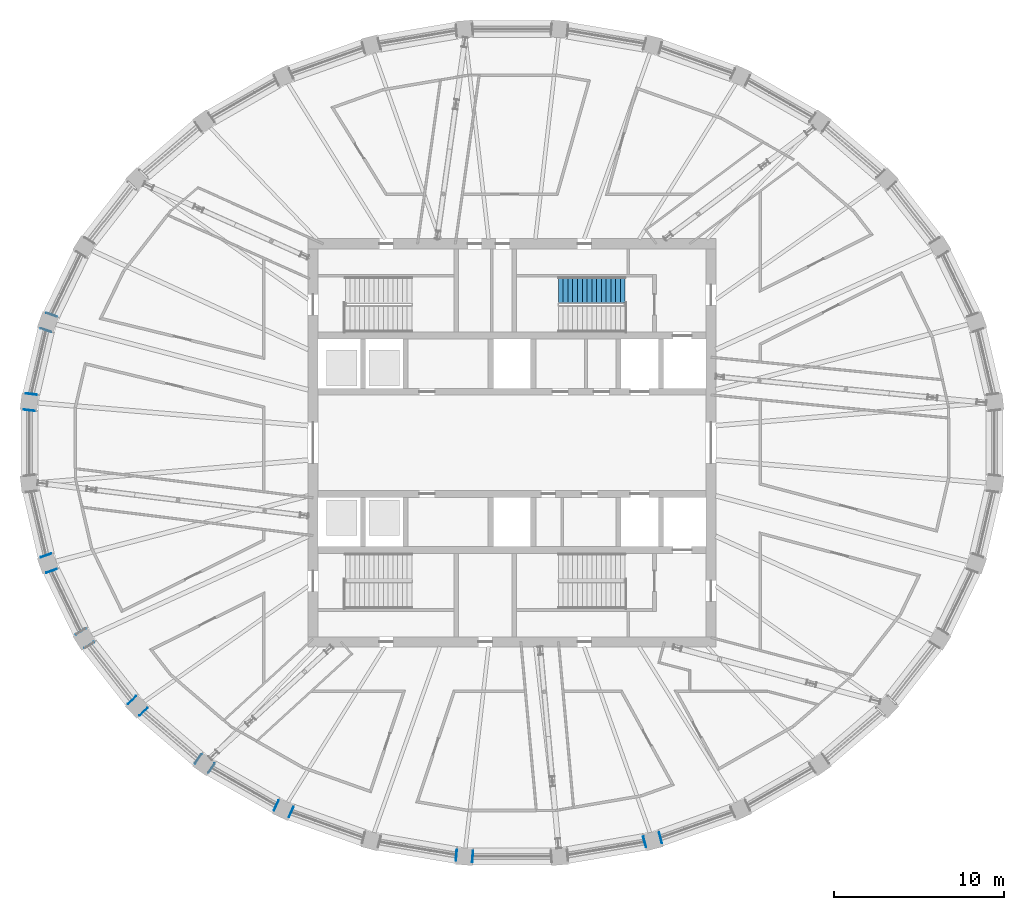
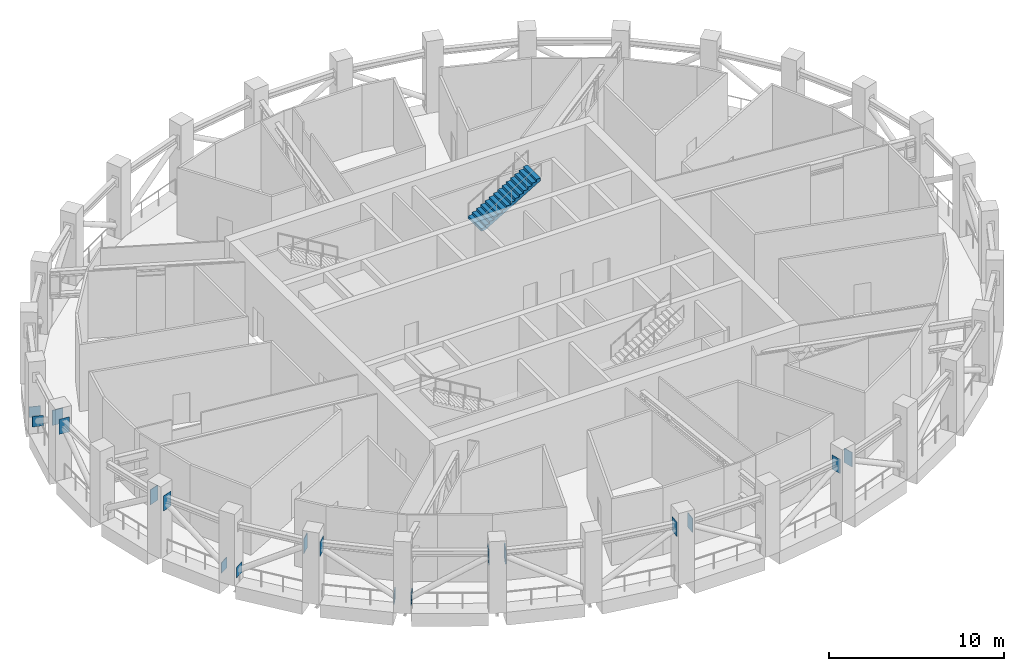
# One storey, part 12 of 20: 18 discrete accessories, 1 stair flight, 1 element without a shape of its own.
"""IFC4 building model written with IfcOpenShell, lengths in metres."""

from ifc_helpers import new_model, si_unit, direction, frame, origin, origin_2d, place, context, subcontext, project, spatial, polyline, rectangle, outline, extrude, material, layer, layer_set, type_object, element, aggregate, save


model = new_model("IFC4")

# Units and contexts
model_context = context("Model", 3, precision=1e-05, world=origin(), true_north=direction((0.0, 1.0)))
body_context = subcontext(model_context, "Body", "Model", "MODEL_VIEW")
ifc_project = project(units=[si_unit("LENGTHUNIT", "METRE"), si_unit("AREAUNIT", "SQUARE_METRE"), si_unit("VOLUMEUNIT", "CUBIC_METRE"), si_unit("PLANEANGLEUNIT", "RADIAN"), si_unit("MASSUNIT", "GRAM", prefix="KILO")], contexts=[model_context])

# Site, building, storey
site_placement = place(None, origin())
site = spatial("IfcSite", under=ifc_project, at=site_placement, CompositionType="ELEMENT")
building_placement = place(site_placement, origin())
building = spatial("IfcBuilding", under=site, at=building_placement, Name="Halqa Exchange Tower", CompositionType="ELEMENT")
storey_placement = place(building_placement, frame((0.0, 0.0, 328.300048828125)))
storey = spatial("IfcBuildingStorey", under=building, at=storey_placement, Name="L77", CompositionType="ELEMENT", Elevation=328.300048828125)

# Stair, stair flight
ifc_material_1 = material(Name="Concrete C30/37", Category="concrete")
stair_type = type_object("IfcStairType", Name="Exit stair 1500 wide", PredefinedType="HALF_TURN_STAIR", material=ifc_material_1)
stair_placement = place(storey_placement, origin())
stair = element("IfcStair", 1, at=stair_placement, inside=storey, type_object=stair_type, Name="Exit stair ST2", PredefinedType="HALF_TURN_STAIR")
stair_flight_type = type_object("IfcStairFlightType", Name="Stair flight 1500 wide", PredefinedType="STRAIGHT", material=ifc_material_1)
stair_flight_placement = place(storey_placement, frame((2.72998046875, 9.0, 2.5), z_axis=(0.0, 0.0, 1.0), x_axis=(1.0, 0.0, 0.0)))
stair_flight = element("IfcStairFlight", 2, at=stair_flight_placement, type_object=stair_flight_type, Name="ST2 flight 2", NumberOfRisers=15, NumberOfTreads=14, PredefinedType="STRAIGHT", RiserHeight=0.166666667, TreadLength=0.28, context=body_context, shape_type="SweptSolid", body=[
    extrude(outline(polyline([(0.0, 0.0), (0.0, 0.166748046875), (0.280029296875, 0.166748046875), (0.280029296875, 0.333251953125), (0.56005859375, 0.333251953125), (0.56005859375, 0.5), (0.840087890625, 0.5), (0.840087890625, 0.666748046875), (1.1201171875, 0.666748046875), (1.1201171875, 0.833251953125), (1.39990234375, 0.833251953125), (1.39990234375, 1.0), (1.679931640625, 1.0), (1.679931640625, 1.166748046875), (1.9599609375, 1.166748046875), (1.9599609375, 1.333251953125), (2.239990234375, 1.333251953125), (2.239990234375, 1.5), (2.52001953125, 1.5), (2.52001953125, 1.666748046875), (2.800048828125, 1.666748046875), (2.800048828125, 1.833251953125), (3.080078125, 1.833251953125), (3.080078125, 2.0), (3.360107421875, 2.0), (3.360107421875, 2.166748046875), (3.639892578125, 2.166748046875), (3.639892578125, 2.333251953125), (3.919921875, 2.333251953125), (3.919921875, 2.5), (3.919921875, 2.158935546875), (0.29296875, 0.0), (0.0, 0.0)])), frame((0.0, 0.75, 0.0), z_axis=(0.0, -1.0, 0.0), x_axis=(1.0, 0.0, 0.0)), (0.0, 0.0, 1.0), 1.5),
])
aggregate(stair, [stair_flight])

# Discrete accessories
ifc_material_2 = material(Name="Steel S355", Category="steel")
ifc_layer = layer(ifc_material_2, 0.0400390625)
ifc_layer_set = layer_set([ifc_layer], Name="Steel S355")
discrete_accessory_type = type_object("IfcDiscreteAccessoryType", Name="Belt truss anchor plate 40", PredefinedType="ANCHORPLATE", material=ifc_layer_set)
discrete_accessory_1_placement = place(storey_placement, frame((-27.376220703125, 6.639892578125, 0.834716796875), z_axis=(-0.328993186606, -0.944332294887, 0.0), x_axis=(0.944332294887, -0.328993186606, 0.0)))
element("IfcDiscreteAccessory", 3, at=discrete_accessory_1_placement, inside=storey, type_object=discrete_accessory_type, Name="Belt truss anchor plate", PredefinedType="ANCHORPLATE", context=body_context, shape_type="SweptSolid", body=[
    extrude(rectangle(XDim=0.656005859375, YDim=0.735107421875, at=origin_2d()), origin(), (0.0, 0.0, 1.0), 0.0400390625),
])
discrete_accessory_2_placement = place(storey_placement, frame((-27.0703125, 7.507568359375, 0.828125), z_axis=(0.336336396998, 0.941741911595, 0.0), x_axis=(-0.941741911595, 0.336336396998, 0.0)))
element("IfcDiscreteAccessory", 4, at=discrete_accessory_2_placement, inside=storey, type_object=discrete_accessory_type, Name="Belt truss anchor plate", PredefinedType="ANCHORPLATE", context=body_context, shape_type="SweptSolid", body=[
    extrude(rectangle(XDim=0.656005859375, YDim=0.73193359375, at=origin_2d()), origin(), (0.0, 0.0, 1.0), 0.0400390625),
])
discrete_accessory_3_placement = place(storey_placement, frame((-28.361328125, 1.93115234375, 3.72216796875), z_axis=(-0.116485527129, -0.993192389202, 0.0), x_axis=(0.993192389202, -0.116485527129, 0.0)))
element("IfcDiscreteAccessory", 5, at=discrete_accessory_3_placement, inside=storey, type_object=discrete_accessory_type, Name="Belt truss anchor plate", PredefinedType="ANCHORPLATE", context=body_context, shape_type="SweptSolid", body=[
    extrude(rectangle(XDim=0.656005859375, YDim=1.054931640625, at=origin_2d()), origin(), (0.0, 0.0, 1.0), 0.039794921875),
])
discrete_accessory_4_placement = place(storey_placement, frame((-28.2568359375, 2.84521484375, 3.7236328125), z_axis=(0.115780500934, 0.993274823804, 0.0), x_axis=(-0.993274823804, 0.115780500934, 0.0)))
element("IfcDiscreteAccessory", 6, at=discrete_accessory_4_placement, inside=storey, type_object=discrete_accessory_type, Name="Belt truss anchor plate", PredefinedType="ANCHORPLATE", context=body_context, shape_type="SweptSolid", body=[
    extrude(rectangle(XDim=0.656005859375, YDim=1.052978515625, at=origin_2d()), origin(), (0.0, 0.0, 1.0), 0.0400390625),
])
discrete_accessory_5_placement = place(storey_placement, frame((-27.0703125, -7.507568359375, 3.727783203125), z_axis=(0.336336396998, -0.941741911595, 0.0), x_axis=(0.941741911595, 0.336336396998, 0.0)))
element("IfcDiscreteAccessory", 7, at=discrete_accessory_5_placement, inside=storey, type_object=discrete_accessory_type, Name="Belt truss anchor plate", PredefinedType="ANCHORPLATE", context=body_context, shape_type="SweptSolid", body=[
    extrude(rectangle(XDim=0.656005859375, YDim=1.0439453125, at=origin_2d()), origin(), (0.0, 0.0, 1.0), 0.0400390625),
])
discrete_accessory_6_placement = place(storey_placement, frame((-27.376220703125, -6.639892578125, 3.723876953125), z_axis=(-0.328993186606, 0.944332294887, 0.0), x_axis=(-0.944332294887, -0.328993186606, 0.0)))
element("IfcDiscreteAccessory", 8, at=discrete_accessory_6_placement, inside=storey, type_object=discrete_accessory_type, Name="Belt truss anchor plate", PredefinedType="ANCHORPLATE", context=body_context, shape_type="SweptSolid", body=[
    extrude(rectangle(XDim=0.656005859375, YDim=1.052001953125, at=origin_2d()), origin(), (0.0, 0.0, 1.0), 0.0400390625),
])
discrete_accessory_7_placement = place(storey_placement, frame((-24.849365234375, -11.879638671875, 0.81982421875), z_axis=(0.530546985787, -0.847655529016, 0.0), x_axis=(0.847655529016, 0.530546985787, 0.0)))
element("IfcDiscreteAccessory", 9, at=discrete_accessory_7_placement, inside=storey, type_object=discrete_accessory_type, Name="Belt truss anchor plate", PredefinedType="ANCHORPLATE", context=body_context, shape_type="SweptSolid", body=[
    extrude(rectangle(XDim=0.656005859375, YDim=0.72900390625, at=origin_2d()), origin(), (0.0, 0.0, 1.0), 0.0400390625),
])
discrete_accessory_8_placement = place(storey_placement, frame((-25.3349609375, -11.098388671875, 0.8291015625), z_axis=(-0.527815847616, 0.849358835243, 0.0), x_axis=(-0.849358835243, -0.527815847616, 0.0)))
element("IfcDiscreteAccessory", 10, at=discrete_accessory_8_placement, inside=storey, type_object=discrete_accessory_type, Name="Belt truss anchor plate", PredefinedType="ANCHORPLATE", context=body_context, shape_type="SweptSolid", body=[
    extrude(rectangle(XDim=0.656005859375, YDim=0.73193359375, at=origin_2d()), origin(), (0.0, 0.0, 1.0), 0.040283203125),
])
discrete_accessory_9_placement = place(storey_placement, frame((-21.678955078125, -15.79736328125, 3.739013671875), z_axis=(0.691639439628, -0.722242954656, 0.0), x_axis=(0.722242954656, 0.691639439628, 0.0)))
element("IfcDiscreteAccessory", 11, at=discrete_accessory_9_placement, inside=storey, type_object=discrete_accessory_type, Name="Belt truss anchor plate", PredefinedType="ANCHORPLATE", context=body_context, shape_type="SweptSolid", body=[
    extrude(rectangle(XDim=0.656005859375, YDim=1.02197265625, at=origin_2d()), origin(), (0.0, 0.0, 1.0), 0.039794921875),
])
discrete_accessory_10_placement = place(storey_placement, frame((-22.314208984375, -15.1318359375, 3.733154296875), z_axis=(-0.68858929503, 0.725151558483, 0.0), x_axis=(-0.725151558483, -0.68858929503, 0.0)))
element("IfcDiscreteAccessory", 12, at=discrete_accessory_10_placement, inside=storey, type_object=discrete_accessory_type, Name="Belt truss anchor plate", PredefinedType="ANCHORPLATE", context=body_context, shape_type="SweptSolid", body=[
    extrude(rectangle(XDim=0.656005859375, YDim=1.033935546875, at=origin_2d()), origin(), (0.0, 0.0, 1.0), 0.0400390625),
])
discrete_accessory_11_placement = place(storey_placement, frame((-17.6787109375, -19.1123046875, 0.80126953125), z_axis=(0.81865747399, -0.57428210862, 0.0), x_axis=(0.57428210862, 0.81865747399, 0.0)))
element("IfcDiscreteAccessory", 13, at=discrete_accessory_11_placement, inside=storey, type_object=discrete_accessory_type, Name="Belt truss anchor plate", PredefinedType="ANCHORPLATE", context=body_context, shape_type="SweptSolid", body=[
    extrude(rectangle(XDim=0.656005859375, YDim=0.720947265625, at=origin_2d()), origin(), (0.0, 0.0, 1.0), 0.0400390625),
])
discrete_accessory_12_placement = place(storey_placement, frame((-18.430419921875, -18.581787109375, 0.810302734375), z_axis=(-0.81865747399, 0.57428210862, 0.0), x_axis=(-0.57428210862, -0.81865747399, 0.0)))
element("IfcDiscreteAccessory", 14, at=discrete_accessory_12_placement, inside=storey, type_object=discrete_accessory_type, Name="Belt truss anchor plate", PredefinedType="ANCHORPLATE", context=body_context, shape_type="SweptSolid", body=[
    extrude(rectangle(XDim=0.656005859375, YDim=0.72509765625, at=origin_2d()), origin(), (0.0, 0.0, 1.0), 0.0400390625),
])
discrete_accessory_13_placement = place(storey_placement, frame((-12.999267578125, -21.69775390625, 3.74853515625), z_axis=(0.9097381412, -0.415182507393, 0.0), x_axis=(0.415182507393, 0.9097381412, 0.0)))
element("IfcDiscreteAccessory", 15, at=discrete_accessory_13_placement, inside=storey, type_object=discrete_accessory_type, Name="Belt truss anchor plate", PredefinedType="ANCHORPLATE", context=body_context, shape_type="SweptSolid", body=[
    extrude(rectangle(XDim=0.656005859375, YDim=1.0029296875, at=origin_2d()), origin(), (0.0, 0.0, 1.0), 0.0400390625),
])
discrete_accessory_14_placement = place(storey_placement, frame((-13.835205078125, -21.313720703125, 3.744140625), z_axis=(-0.90742390538, 0.420216439404, 0.0), x_axis=(-0.420216439404, -0.90742390538, 0.0)))
element("IfcDiscreteAccessory", 16, at=discrete_accessory_14_placement, inside=storey, type_object=discrete_accessory_type, Name="Belt truss anchor plate", PredefinedType="ANCHORPLATE", context=body_context, shape_type="SweptSolid", body=[
    extrude(rectangle(XDim=0.656005859375, YDim=1.011962890625, at=origin_2d()), origin(), (0.0, 0.0, 1.0), 0.0400390625),
])
discrete_accessory_15_placement = place(storey_placement, frame((-2.331787109375, -24.309814453125, 3.75146484375), z_axis=(0.996331773833, -0.085574508182, 0.0), x_axis=(0.085574508182, 0.996331773833, 0.0)))
element("IfcDiscreteAccessory", 17, at=discrete_accessory_15_placement, inside=storey, type_object=discrete_accessory_type, Name="Belt truss anchor plate", PredefinedType="ANCHORPLATE", context=body_context, shape_type="SweptSolid", body=[
    extrude(rectangle(XDim=0.656005859375, YDim=0.9970703125, at=origin_2d()), origin(), (0.0, 0.0, 1.0), 0.0400390625),
])
discrete_accessory_16_placement = place(storey_placement, frame((-3.24853515625, -24.232421875, 3.750732421875), z_axis=(-0.996331773833, 0.085574508182, 0.0), x_axis=(-0.085574508182, -0.996331773833, 0.0)))
element("IfcDiscreteAccessory", 18, at=discrete_accessory_16_placement, inside=storey, type_object=discrete_accessory_type, Name="Belt truss anchor plate", PredefinedType="ANCHORPLATE", context=body_context, shape_type="SweptSolid", body=[
    extrude(rectangle(XDim=0.656005859375, YDim=0.9990234375, at=origin_2d()), origin(), (0.0, 0.0, 1.0), 0.0400390625),
])
discrete_accessory_17_placement = place(storey_placement, frame((8.7080078125, -23.22119140625, 3.74853515625), z_axis=(0.967941754644, 0.251174759116, 0.0), x_axis=(-0.251174759116, 0.967941754644, 0.0)))
element("IfcDiscreteAccessory", 19, at=discrete_accessory_17_placement, inside=storey, type_object=discrete_accessory_type, Name="Belt truss anchor plate", PredefinedType="ANCHORPLATE", context=body_context, shape_type="SweptSolid", body=[
    extrude(rectangle(XDim=0.656005859375, YDim=1.0029296875, at=origin_2d()), origin(), (0.0, 0.0, 1.0), 0.039794921875),
])
discrete_accessory_18_placement = place(storey_placement, frame((7.817626953125, -23.453125, 3.75048828125), z_axis=(-0.966437683387, -0.256901156343, 0.0), x_axis=(0.256901156343, -0.966437683387, 0.0)))
element("IfcDiscreteAccessory", 20, at=discrete_accessory_18_placement, inside=storey, type_object=discrete_accessory_type, Name="Belt truss anchor plate", PredefinedType="ANCHORPLATE", context=body_context, shape_type="SweptSolid", body=[
    extrude(rectangle(XDim=0.656005859375, YDim=0.9990234375, at=origin_2d()), origin(), (0.0, 0.0, 1.0), 0.039794921875),
])

save(model, "model.ifc")
